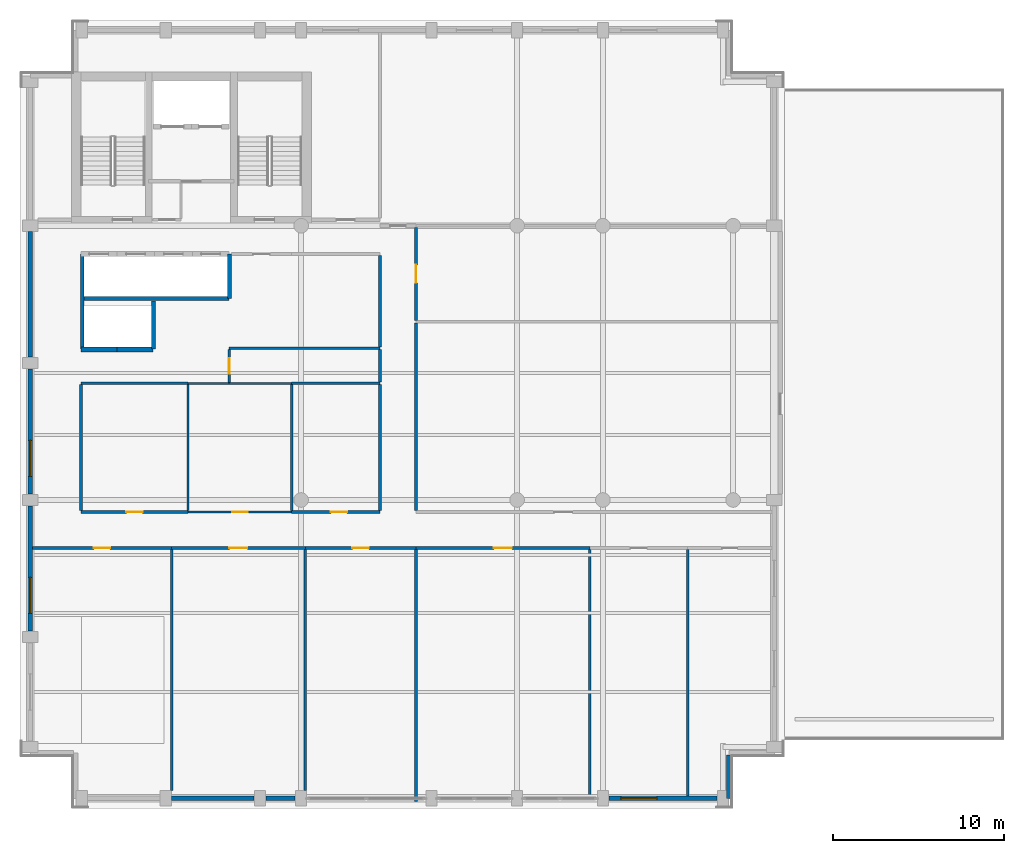
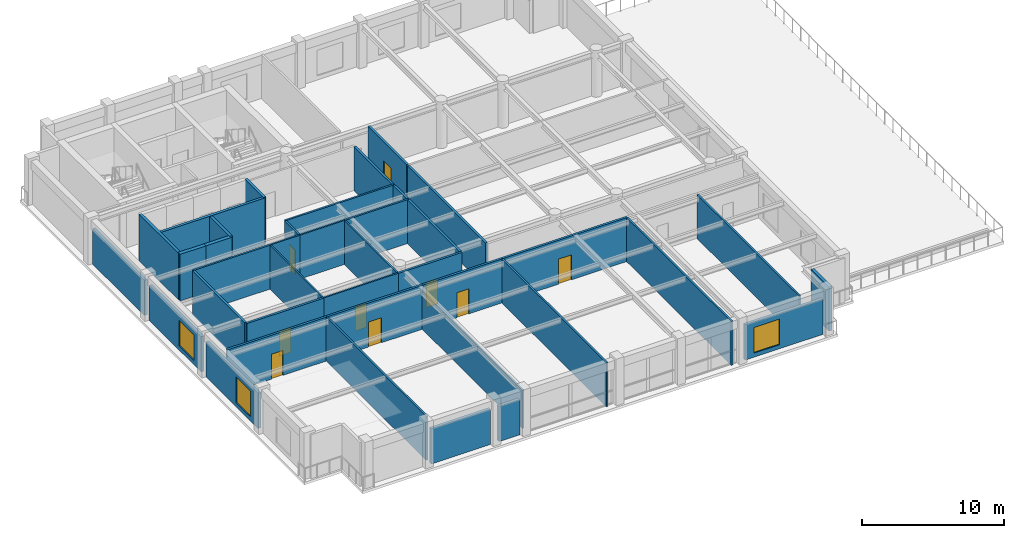
# One storey, part 4 of 9: 39 walls, 9 doors, 3 windows, 12 openings.
"""IFC4 building model written with IfcOpenShell, lengths in metres."""

from ifc_helpers import new_model, si_unit, direction, frame, frame_2d, origin, place, context, subcontext, project, spatial, rectangle, extrude, material, layer, layer_set, type_object, element, fill, save


model = new_model("IFC4")

# Units and contexts
model_context = context("Model", 3, precision=1e-05, world=origin(), true_north=direction((0.0, 1.0)))
body_context = subcontext(model_context, "Body", "Model", "MODEL_VIEW")
ifc_project = project(units=[si_unit("LENGTHUNIT", "METRE"), si_unit("AREAUNIT", "SQUARE_METRE"), si_unit("VOLUMEUNIT", "CUBIC_METRE"), si_unit("PLANEANGLEUNIT", "RADIAN"), si_unit("MASSUNIT", "GRAM", prefix="KILO")], contexts=[model_context])

# Site, building, storey
site_placement = place(None, origin())
site = spatial("IfcSite", under=ifc_project, at=site_placement, CompositionType="ELEMENT")
building_placement = place(site_placement, origin())
building = spatial("IfcBuilding", under=site, at=building_placement, Name="Sulina Concourse Tower", CompositionType="ELEMENT")
storey_placement = place(building_placement, frame((0.0, 0.0, 289.0)))
storey = spatial("IfcBuildingStorey", under=building, at=storey_placement, Name="L70", CompositionType="ELEMENT", Elevation=289.0)

# Walls
ifc_material_1 = material(Name="Concrete C50/60", Category="concrete")
ifc_layer_1 = layer(ifc_material_1, 0.219970703125)
ifc_layer_set_1 = layer_set([ifc_layer_1], Name="Concrete C50/60")
wall_type_1 = type_object("IfcWallType", Name="Core Lift Hoistway Divider Wall 220mm", PredefinedType="SOLIDWALL", material=ifc_layer_set_1)
wall_1_placement = place(storey_placement, frame((3.550048828125, 29.75, 0.0), z_axis=(0.0, 0.0, 1.0), x_axis=(1.0, 0.0, 0.0)))
element("IfcWall", 1, at=wall_1_placement, inside=storey, type_object=wall_type_1, Name="L70 shaft divider wall HW-LP3-S", PredefinedType="SOLIDWALL", context=body_context, shape_type="SweptSolid", body=[
    extrude(rectangle(XDim=8.64990234375, YDim=0.219970703125, at=frame_2d((4.324951171875, 0.0))), origin(), (0.0, 0.0, 1.0), 4.0),
])
wall_2_placement = place(storey_placement, frame((3.6298828125, 26.800048828125, 0.0), z_axis=(0.0, 0.0, 1.0), x_axis=(0.0, 1.0, 0.0)))
element("IfcWall", 2, at=wall_2_placement, inside=storey, type_object=wall_type_1, Name="L70 shaft divider wall HW-LP3-W", PredefinedType="SOLIDWALL", context=body_context, shape_type="SweptSolid", body=[
    extrude(rectangle(XDim=5.550048828125, YDim=0.219970703125, at=frame_2d((2.77490234375, 0.0))), origin(), (0.0, 0.0, 1.0), 4.0),
])
wall_3_placement = place(storey_placement, frame((7.780029296875, 26.800048828125, 0.0), z_axis=(0.0, 0.0, 1.0), x_axis=(0.0, 1.0, 0.0)))
element("IfcWall", 3, at=wall_3_placement, inside=storey, type_object=wall_type_1, Name="L70 shaft divider wall HW-EXP-E", PredefinedType="SOLIDWALL", context=body_context, shape_type="SweptSolid", body=[
    extrude(rectangle(XDim=2.800048828125, YDim=0.219970703125, at=frame_2d((1.39990234375, 0.0))), origin(), (0.0, 0.0, 1.0), 4.0),
])
wall_4_placement = place(storey_placement, frame((12.219970703125, 29.75, 0.0), z_axis=(0.0, 0.0, 1.0), x_axis=(0.0, 1.0, 0.0)))
element("IfcWall", 4, at=wall_4_placement, inside=storey, type_object=wall_type_1, Name="L70 shaft divider wall HW-LP3-E", PredefinedType="SOLIDWALL", context=body_context, shape_type="SweptSolid", body=[
    extrude(rectangle(XDim=2.60009765625, YDim=0.219970703125, at=frame_2d((1.300048828125, 0.0))), origin(), (0.0, 0.0, 1.0), 4.0),
])
ifc_material_2 = material(Name="Concrete C50/60", Category="concrete")
ifc_layer_2 = layer(ifc_material_2, 0.300048828125)
ifc_layer_set_2 = layer_set([ifc_layer_2], Name="Concrete C50/60")
wall_type_2 = type_object("IfcWallType", Name="Core Lift Hoistway Wall 300mm", PredefinedType="SOLIDWALL", material=ifc_layer_set_2)
wall_5_placement = place(storey_placement, frame((5.64990234375, 26.780029296875, 0.0), z_axis=(0.0, 0.0, 1.0), x_axis=(-1.0, 0.0, 0.0)))
element("IfcWall", 5, at=wall_5_placement, inside=storey, type_object=wall_type_2, Name="L70 hoistway enclosure wall EXP-1", PredefinedType="SOLIDWALL", context=body_context, shape_type="SweptSolid", body=[
    extrude(rectangle(XDim=2.099853515625, YDim=0.300048828125, at=frame_2d((1.0498046875, 0.0))), origin(), (0.0, 0.0, 1.0), 4.0),
])
wall_6_placement = place(storey_placement, frame((7.75, 26.780029296875, 0.0), z_axis=(0.0, 0.0, 1.0), x_axis=(-1.0, 0.0, 0.0)))
element("IfcWall", 6, at=wall_6_placement, inside=storey, type_object=wall_type_2, Name="L70 hoistway enclosure wall EXP-2", PredefinedType="SOLIDWALL", context=body_context, shape_type="SweptSolid", body=[
    extrude(rectangle(XDim=2.10009765625, YDim=0.300048828125, at=frame_2d((1.050048828125, 0.0))), origin(), (0.0, 0.0, 1.0), 4.0),
])
ifc_material_3 = material(Name="Precast concrete C50/60", Category="concrete")
ifc_layer_3 = layer(ifc_material_3, 0.239990234375)
ifc_layer_set_3 = layer_set([ifc_layer_3], Name="Precast concrete C50/60")
wall_type_3 = type_object("IfcWallType", Name="Crown Precast Masonry-Frame Facade Wall 240mm", PredefinedType="SOLIDWALL", material=ifc_layer_set_3)
wall_7_placement = place(storey_placement, frame((13.655029296875, 0.60009765625, 0.0), z_axis=(0.0, 0.0, 1.0), x_axis=(-1.0, 0.0, 0.0)))
element("IfcWall", 7, at=wall_7_placement, inside=storey, type_object=wall_type_3, Name="L70 exterior precast wall S2", PredefinedType="SOLIDWALL", context=body_context, shape_type="SweptSolid", body=[
    extrude(rectangle(XDim=4.81005859375, YDim=0.239990234375, at=frame_2d((2.405029296875, 0.0))), origin(), (0.0, 0.0, 1.0), 3.02490234375),
])
wall_8_placement = place(storey_placement, frame((16.054931640625, 0.60009765625, 0.0), z_axis=(0.0, 0.0, 1.0), x_axis=(-1.0, 0.0, 0.0)))
element("IfcWall", 8, at=wall_8_placement, inside=storey, type_object=wall_type_3, Name="L70 exterior precast wall S3", PredefinedType="SOLIDWALL", context=body_context, shape_type="SweptSolid", body=[
    extrude(rectangle(XDim=1.7099609375, YDim=0.239990234375, at=frame_2d((0.85498046875, 0.0))), origin(), (0.0, 0.0, 1.0), 3.02490234375),
])

# Wall, opening, window
wall_9_placement = place(storey_placement, frame((40.655029296875, 0.60009765625, 0.0), z_axis=(0.0, 0.0, 1.0), x_axis=(-1.0, 0.0, 0.0)))
wall_9 = element("IfcWall", 9, at=wall_9_placement, inside=storey, type_object=wall_type_3, Name="L70 exterior precast wall S7", PredefinedType="SOLIDWALL", context=body_context, shape_type="SweptSolid", body=[
    extrude(rectangle(XDim=6.31005859375, YDim=0.239990234375, at=frame_2d((3.155029296875, 0.0))), origin(), (0.0, 0.0, 1.0), 3.02490234375),
])
opening_1_placement = place(wall_9_placement, frame((3.506591796875, 0.0, 0.35009765625)))
opening_1 = element("IfcOpeningElement", 10, at=opening_1_placement, cuts=wall_9, Name="Opening WN-33", PredefinedType="OPENING", context=body_context, shape_type="SweptSolid", body=[
    extrude(rectangle(XDim=2.10009765625, YDim=2.199951171875, at=frame_2d((1.050048828125, 1.10009765625))), frame((0.0, 0.1298828125, 0.0), z_axis=(0.0, -1.0, 0.0), x_axis=(1.0, 0.0, 0.0)), (0.0, 0.0, 1.0), 0.260009765625),
])
ifc_material_4 = material(Name="Low-E solar double glazing in bronze aluminium", Category="aluminium")
window_type = type_object("IfcWindowType", Name="Punched Masonry-Frame Window 2100x2200", PartitioningType="DOUBLE_PANEL_VERTICAL", PredefinedType="WINDOW", material=ifc_material_4)
window_1_placement = place(opening_1_placement, origin())
window_1 = element("IfcWindow", 11, at=window_1_placement, inside=storey, type_object=window_type, Name="L70 punched window S7-1", OverallHeight=2.199951171875, OverallWidth=2.10009765625, PartitioningType="SINGLE_PANEL", PredefinedType="WINDOW", context=body_context, shape_type="SweptSolid", body=[
    extrude(rectangle(XDim=2.10009765625, YDim=2.199951171875, at=frame_2d((1.050048828125, 1.10009765625))), frame((0.0, 0.030029296875, 0.0), z_axis=(0.0, -1.0, 0.0), x_axis=(1.0, 0.0, 0.0)), (0.0, 0.0, 1.0), 0.06005859375),
])
fill(opening_1, window_1)

wall_10_placement = place(storey_placement, frame((0.60009765625, 10.344970703125, 0.0), z_axis=(0.0, 0.0, 1.0), x_axis=(0.0, 1.0, 0.0)))
wall_10 = element("IfcWall", 12, at=wall_10_placement, inside=storey, type_object=wall_type_3, Name="L70 exterior precast wall W2", PredefinedType="SOLIDWALL", context=body_context, shape_type="SweptSolid", body=[
    extrude(rectangle(XDim=7.31005859375, YDim=0.239990234375, at=frame_2d((3.655029296875, 0.0))), origin(), (0.0, 0.0, 1.0), 3.02490234375),
])
opening_2_placement = place(wall_10_placement, frame((1.03662109375, 0.0, 0.35009765625)))
opening_2 = element("IfcOpeningElement", 13, at=opening_2_placement, cuts=wall_10, Name="Opening WN-33", PredefinedType="OPENING", context=body_context, shape_type="SweptSolid", body=[
    extrude(rectangle(XDim=2.10009765625, YDim=2.199951171875, at=frame_2d((1.050048828125, 1.10009765625))), frame((0.0, 0.1298828125, 0.0), z_axis=(0.0, -1.0, 0.0), x_axis=(1.0, 0.0, 0.0)), (0.0, 0.0, 1.0), 0.260009765625),
])
window_2_placement = place(opening_2_placement, origin())
window_2 = element("IfcWindow", 14, at=window_2_placement, inside=storey, type_object=window_type, Name="L70 punched window W2-1", OverallHeight=2.199951171875, OverallWidth=2.10009765625, PartitioningType="SINGLE_PANEL", PredefinedType="WINDOW", context=body_context, shape_type="SweptSolid", body=[
    extrude(rectangle(XDim=2.10009765625, YDim=2.199951171875, at=frame_2d((1.050048828125, 1.10009765625))), frame((0.0, 0.030029296875, 0.0), z_axis=(0.0, -1.0, 0.0), x_axis=(1.0, 0.0, 0.0)), (0.0, 0.0, 1.0), 0.06005859375),
])
fill(opening_2, window_2)

wall_11_placement = place(storey_placement, frame((0.60009765625, 18.344970703125, 0.0), z_axis=(0.0, 0.0, 1.0), x_axis=(0.0, 1.0, 0.0)))
wall_11 = element("IfcWall", 15, at=wall_11_placement, inside=storey, type_object=wall_type_3, Name="L70 exterior precast wall W3", PredefinedType="SOLIDWALL", context=body_context, shape_type="SweptSolid", body=[
    extrude(rectangle(XDim=7.31005859375, YDim=0.239990234375, at=frame_2d((3.655029296875, 0.0))), origin(), (0.0, 0.0, 1.0), 3.02490234375),
])
opening_3_placement = place(wall_11_placement, frame((1.03662109375, 0.0, 0.35009765625)))
opening_3 = element("IfcOpeningElement", 16, at=opening_3_placement, cuts=wall_11, Name="Opening WN-33", PredefinedType="OPENING", context=body_context, shape_type="SweptSolid", body=[
    extrude(rectangle(XDim=2.10009765625, YDim=2.199951171875, at=frame_2d((1.050048828125, 1.10009765625))), frame((0.0, 0.1298828125, 0.0), z_axis=(0.0, -1.0, 0.0), x_axis=(1.0, 0.0, 0.0)), (0.0, 0.0, 1.0), 0.260009765625),
])
window_3_placement = place(opening_3_placement, origin())
window_3 = element("IfcWindow", 17, at=window_3_placement, inside=storey, type_object=window_type, Name="L70 punched window W3-1", OverallHeight=2.199951171875, OverallWidth=2.10009765625, PartitioningType="SINGLE_PANEL", PredefinedType="WINDOW", context=body_context, shape_type="SweptSolid", body=[
    extrude(rectangle(XDim=2.10009765625, YDim=2.199951171875, at=frame_2d((1.050048828125, 1.10009765625))), frame((0.0, 0.030029296875, 0.0), z_axis=(0.0, -1.0, 0.0), x_axis=(1.0, 0.0, 0.0)), (0.0, 0.0, 1.0), 0.06005859375),
])
fill(opening_3, window_3)

# Walls
wall_12_placement = place(storey_placement, frame((0.60009765625, 26.344970703125, 0.0), z_axis=(0.0, 0.0, 1.0), x_axis=(0.0, 1.0, 0.0)))
element("IfcWall", 18, at=wall_12_placement, inside=storey, type_object=wall_type_3, Name="L70 exterior precast wall W4", PredefinedType="SOLIDWALL", context=body_context, shape_type="SweptSolid", body=[
    extrude(rectangle(XDim=7.31005859375, YDim=0.239990234375, at=frame_2d((3.655029296875, 0.0))), origin(), (0.0, 0.0, 1.0), 3.02490234375),
])
wall_13_placement = place(storey_placement, frame((41.344970703125, 3.1298828125, 0.0), z_axis=(0.0, 0.0, 1.0), x_axis=(0.0, -1.0, 0.0)))
element("IfcWall", 19, at=wall_13_placement, inside=storey, type_object=wall_type_3, Name="L70 exterior precast wall CSE2", PredefinedType="SOLIDWALL", context=body_context, shape_type="SweptSolid", body=[
    extrude(rectangle(XDim=2.52978515625, YDim=0.239990234375, at=frame_2d((1.264892578125, 0.0))), origin(), (0.0, 0.0, 1.0), 3.77490234375),
])
ifc_material_5 = material(Name="Gypsum board on steel stud", Category="steel")
ifc_layer_4 = layer(ifc_material_5, 0.14990234375)
ifc_layer_set_4 = layer_set([ifc_layer_4], Name="Gypsum board on steel stud")
wall_type_4 = type_object("IfcWallType", Name="Inter-Tenancy Acoustic Partition 150mm", PredefinedType="PARTITIONING", material=ifc_layer_set_4)
wall_14_placement = place(storey_placement, frame((3.550048828125, 24.800048828125, 0.0), z_axis=(0.0, 0.0, 1.0), x_axis=(1.0, 0.0, 0.0)))
element("IfcWall", 20, at=wall_14_placement, inside=storey, type_object=wall_type_4, Name="L70 interior partition 011", PredefinedType="PARTITIONING", context=body_context, shape_type="SweptSolid", body=[
    extrude(rectangle(XDim=6.25, YDim=0.14990234375, at=frame_2d((3.125, 0.0))), origin(), (0.0, 0.0, 1.0), 3.77490234375),
])
wall_15_placement = place(storey_placement, frame((15.85009765625, 24.800048828125, 0.0), z_axis=(0.0, 0.0, 1.0), x_axis=(1.0, 0.0, 0.0)))
element("IfcWall", 21, at=wall_15_placement, inside=storey, type_object=wall_type_4, Name="L70 interior partition 014", PredefinedType="PARTITIONING", context=body_context, shape_type="SweptSolid", body=[
    extrude(rectangle(XDim=5.14990234375, YDim=0.14990234375, at=frame_2d((2.574951171875, 0.0))), origin(), (0.0, 0.0, 1.0), 3.77490234375),
])
wall_16_placement = place(storey_placement, frame((12.199951171875, 26.85009765625, 0.0), z_axis=(0.0, 0.0, 1.0), x_axis=(1.0, 0.0, 0.0)))
element("IfcWall", 22, at=wall_16_placement, inside=storey, type_object=wall_type_4, Name="L70 interior partition 015", PredefinedType="PARTITIONING", context=body_context, shape_type="SweptSolid", body=[
    extrude(rectangle(XDim=8.800048828125, YDim=0.14990234375, at=frame_2d((4.39990234375, 0.0))), origin(), (0.0, 0.0, 1.0), 3.77490234375),
])
wall_17_placement = place(storey_placement, frame((8.840087890625, 1.050048828125, 0.0), z_axis=(0.0, 0.0, 1.0), x_axis=(0.0, 1.0, 0.0)))
element("IfcWall", 23, at=wall_17_placement, inside=storey, type_object=wall_type_4, Name="L70 interior partition 028", PredefinedType="PARTITIONING", context=body_context, shape_type="SweptSolid", body=[
    extrude(rectangle(XDim=14.06005859375, YDim=0.14990234375, at=frame_2d((7.030029296875, 0.0))), origin(), (0.0, 0.0, 1.0), 3.77490234375),
])

# Wall, opening, door
wall_18_placement = place(storey_placement, frame((12.199951171875, 24.862548828125, 0.0), z_axis=(0.0, 0.0, 1.0), x_axis=(0.0, 1.0, 0.0)))
wall_18 = element("IfcWall", 24, at=wall_18_placement, inside=storey, type_object=wall_type_4, Name="L70 interior partition 031", PredefinedType="PARTITIONING", context=body_context, shape_type="SweptSolid", body=[
    extrude(rectangle(XDim=1.912353515625, YDim=0.14990234375, at=frame_2d((0.9560546875, 0.0))), origin(), (0.0, 0.0, 1.0), 3.77490234375),
])
opening_4_placement = place(wall_18_placement, frame((0.51611328125, 0.0, 0.0)))
opening_4 = element("IfcOpeningElement", 25, at=opening_4_placement, cuts=wall_18, Name="Opening DR-38", PredefinedType="OPENING", context=body_context, shape_type="SweptSolid", body=[
    extrude(rectangle(XDim=0.8798828125, YDim=2.10009765625, at=frame_2d((0.43994140625, 1.050048828125))), frame((0.0, 0.0849609375, 0.0), z_axis=(0.0, -1.0, 0.0), x_axis=(1.0, 0.0, 0.0)), (0.0, 0.0, 1.0), 0.169921875),
])
ifc_material_6 = material(Name="Galvanised steel acoustic fire leaf", Category="steel")
ifc_layer_5 = layer(ifc_material_6, 0.050048828125)
ifc_layer_set_5 = layer_set([ifc_layer_5], Name="Galvanised steel acoustic fire leaf")
door_type_1 = type_object("IfcDoorType", Name="Service Riser Fire Door 880x2100", OperationType="NOTDEFINED", PredefinedType="DOOR", material=ifc_layer_set_5)
door_1_placement = place(opening_4_placement, origin())
door_1 = element("IfcDoor", 26, at=door_1_placement, inside=storey, type_object=door_type_1, Name="L70 interior door L70-MR-MRG1", OperationType="SINGLE_SWING_RIGHT", OverallHeight=2.10009765625, OverallWidth=0.8798828125, PredefinedType="DOOR", context=body_context, shape_type="SweptSolid", body=[
    extrude(rectangle(XDim=0.8798828125, YDim=2.10009765625, at=frame_2d((0.43994140625, 1.050048828125))), frame((0.0, 0.02490234375, 0.0), z_axis=(0.0, -1.0, 0.0), x_axis=(1.0, 0.0, 0.0)), (0.0, 0.0, 1.0), 0.050048828125),
])
fill(opening_4, door_1)

# Walls
wall_19_placement = place(storey_placement, frame((16.639892578125, 1.050048828125, 0.0), z_axis=(0.0, 0.0, 1.0), x_axis=(0.0, 1.0, 0.0)))
element("IfcWall", 27, at=wall_19_placement, inside=storey, type_object=wall_type_4, Name="L70 interior partition 033", PredefinedType="PARTITIONING", context=body_context, shape_type="SweptSolid", body=[
    extrude(rectangle(XDim=14.06005859375, YDim=0.14990234375, at=frame_2d((7.030029296875, 0.0))), origin(), (0.0, 0.0, 1.0), 3.27001953125),
])
for number, where, z_axis, x_axis, name in (
    (28, (23.10009765625, 0.39990234375, 0.0), (0.0, 0.0, 1.0), (0.0, 1.0, 0.0), "L70 interior partition 038"),
    (29, (33.239990234375, 0.39990234375, 0.0), (0.0, 0.0, 1.0), (0.0, 1.0, 0.0), "L70 interior partition 041"),
):
    element("IfcWall", number, at=place(storey_placement, frame(where, z_axis=z_axis, x_axis=x_axis)), inside=storey, type_object=wall_type_4, Name=name, PredefinedType="PARTITIONING", context=body_context, shape_type="SweptSolid", body=[
        extrude(rectangle(XDim=14.710205078125, YDim=0.14990234375, at=frame_2d((7.35498046875, 0.0))), origin(), (0.0, 0.0, 1.0), 3.77490234375),
    ])
wall_20_placement = place(storey_placement, frame((38.93994140625, 0.719970703125, 0.0), z_axis=(0.0, 0.0, 1.0), x_axis=(0.0, 1.0, 0.0)))
element("IfcWall", 30, at=wall_20_placement, inside=storey, type_object=wall_type_4, Name="L70 interior partition 042", PredefinedType="PARTITIONING", context=body_context, shape_type="SweptSolid", body=[
    extrude(rectangle(XDim=14.39013671875, YDim=0.14990234375, at=frame_2d((7.195068359375, 0.0))), origin(), (0.0, 0.0, 1.0), 3.77490234375),
])

# Wall, opening, door
ifc_material_7 = material(Name="Gypsum board on steel stud", Category="steel")
ifc_layer_6 = layer(ifc_material_7, 0.179931640625)
ifc_layer_set_6 = layer_set([ifc_layer_6], Name="Gypsum board on steel stud")
wall_type_5 = type_object("IfcWallType", Name="Protected Corridor & Riser Partition 180mm", PredefinedType="PARTITIONING", material=ifc_layer_set_6)
wall_21_placement = place(storey_placement, frame((0.719970703125, 15.199951171875, 0.0), z_axis=(0.0, 0.0, 1.0), x_axis=(1.0, 0.0, 0.0)))
wall_21 = element("IfcWall", 31, at=wall_21_placement, inside=storey, type_object=wall_type_5, Name="L70 interior partition 001", PredefinedType="PARTITIONING", context=body_context, shape_type="SweptSolid", body=[
    extrude(rectangle(XDim=8.1201171875, YDim=0.179931640625, at=frame_2d((4.06005859375, 0.0))), origin(), (0.0, 0.0, 1.0), 3.77490234375),
])
opening_5_placement = place(wall_21_placement, frame((3.5849609375, 0.0, 0.0)))
opening_5 = element("IfcOpeningElement", 32, at=opening_5_placement, cuts=wall_21, Name="Opening DR-19", PredefinedType="OPENING", context=body_context, shape_type="SweptSolid", body=[
    extrude(rectangle(XDim=0.949951171875, YDim=2.14990234375, at=frame_2d((0.47509765625, 1.074951171875))), frame((0.0, 0.099853515625, 0.0), z_axis=(0.0, -1.0, 0.0), x_axis=(1.0, 0.0, 0.0)), (0.0, 0.0, 1.0), 0.199951171875),
])
ifc_material_8 = material(Name="Oak-veneered acoustic timber leaf", Category="wood")
ifc_layer_7 = layer(ifc_material_8, 0.050048828125)
ifc_layer_set_7 = layer_set([ifc_layer_7], Name="Oak-veneered acoustic timber leaf")
door_type_2 = type_object("IfcDoorType", Name="Cellular Office & Meeting Door 950x2150", OperationType="NOTDEFINED", PredefinedType="DOOR", material=ifc_layer_set_7)
door_2_placement = place(opening_5_placement, origin())
door_2 = element("IfcDoor", 33, at=door_2_placement, inside=storey, type_object=door_type_2, Name="L70 interior door L70-S01A", OperationType="SINGLE_SWING_RIGHT", OverallHeight=2.14990234375, OverallWidth=0.949951171875, PredefinedType="DOOR", context=body_context, shape_type="SweptSolid", body=[
    extrude(rectangle(XDim=0.949951171875, YDim=2.14990234375, at=frame_2d((0.47509765625, 1.074951171875))), frame((0.0, 0.02490234375, 0.0), z_axis=(0.0, -1.0, 0.0), x_axis=(1.0, 0.0, 0.0)), (0.0, 0.0, 1.0), 0.050048828125),
])
fill(opening_5, door_2)

wall_22_placement = place(storey_placement, frame((8.840087890625, 15.199951171875, 0.0), z_axis=(0.0, 0.0, 1.0), x_axis=(1.0, 0.0, 0.0)))
wall_22 = element("IfcWall", 34, at=wall_22_placement, inside=storey, type_object=wall_type_5, Name="L70 interior partition 002", PredefinedType="PARTITIONING", context=body_context, shape_type="SweptSolid", body=[
    extrude(rectangle(XDim=7.7998046875, YDim=0.179931640625, at=frame_2d((3.89990234375, 0.0))), origin(), (0.0, 0.0, 1.0), 3.77490234375),
])
opening_6_placement = place(wall_22_placement, frame((3.375, 0.0, 0.0)))
opening_6 = element("IfcOpeningElement", 35, at=opening_6_placement, cuts=wall_22, Name="Opening DR-37", PredefinedType="OPENING", context=body_context, shape_type="SweptSolid", body=[
    extrude(rectangle(XDim=1.050048828125, YDim=2.14990234375, at=frame_2d((0.52490234375, 1.074951171875))), frame((0.0, 0.099853515625, 0.0), z_axis=(0.0, -1.0, 0.0), x_axis=(1.0, 0.0, 0.0)), (0.0, 0.0, 1.0), 0.199951171875),
])
ifc_material_9 = material(Name="Oak-veneered fire door leaf")
ifc_layer_8 = layer(ifc_material_9, 0.050048828125)
ifc_layer_set_8 = layer_set([ifc_layer_8], Name="Oak-veneered fire door leaf")
door_type_3 = type_object("IfcDoorType", Name="Tenant Suite Entrance Fire Door 1050x2150", OperationType="NOTDEFINED", PredefinedType="DOOR", material=ifc_layer_set_8)
door_3_placement = place(opening_6_placement, origin())
door_3 = element("IfcDoor", 36, at=door_3_placement, inside=storey, type_object=door_type_3, Name="L70 interior door L70-S01B", OperationType="SINGLE_SWING_LEFT", OverallHeight=2.14990234375, OverallWidth=1.050048828125, PredefinedType="DOOR", context=body_context, shape_type="SweptSolid", body=[
    extrude(rectangle(XDim=1.050048828125, YDim=2.14990234375, at=frame_2d((0.52490234375, 1.074951171875))), frame((0.0, 0.02490234375, 0.0), z_axis=(0.0, -1.0, 0.0), x_axis=(1.0, 0.0, 0.0)), (0.0, 0.0, 1.0), 0.050048828125),
])
fill(opening_6, door_3)

wall_23_placement = place(storey_placement, frame((16.639892578125, 15.199951171875, 0.0), z_axis=(0.0, 0.0, 1.0), x_axis=(1.0, 0.0, 0.0)))
wall_23 = element("IfcWall", 37, at=wall_23_placement, inside=storey, type_object=wall_type_5, Name="L70 interior partition 003", PredefinedType="PARTITIONING", context=body_context, shape_type="SweptSolid", body=[
    extrude(rectangle(XDim=6.460205078125, YDim=0.179931640625, at=frame_2d((3.22998046875, 0.0))), origin(), (0.0, 0.0, 1.0), 3.77490234375),
])
opening_7_placement = place(wall_23_placement, frame((2.7548828125, 0.0, 0.0)))
opening_7 = element("IfcOpeningElement", 38, at=opening_7_placement, cuts=wall_23, Name="Opening DR-19", PredefinedType="OPENING", context=body_context, shape_type="SweptSolid", body=[
    extrude(rectangle(XDim=0.949951171875, YDim=2.14990234375, at=frame_2d((0.47509765625, 1.074951171875))), frame((0.0, 0.099853515625, 0.0), z_axis=(0.0, -1.0, 0.0), x_axis=(1.0, 0.0, 0.0)), (0.0, 0.0, 1.0), 0.199951171875),
])
door_4_placement = place(opening_7_placement, origin())
door_4 = element("IfcDoor", 39, at=door_4_placement, inside=storey, type_object=door_type_2, Name="L70 interior door L70-S02", OperationType="SINGLE_SWING_RIGHT", OverallHeight=2.14990234375, OverallWidth=0.949951171875, PredefinedType="DOOR", context=body_context, shape_type="SweptSolid", body=[
    extrude(rectangle(XDim=0.949951171875, YDim=2.14990234375, at=frame_2d((0.47509765625, 1.074951171875))), frame((0.0, 0.02490234375, 0.0), z_axis=(0.0, -1.0, 0.0), x_axis=(1.0, 0.0, 0.0)), (0.0, 0.0, 1.0), 0.050048828125),
])
fill(opening_7, door_4)

wall_24_placement = place(storey_placement, frame((23.10009765625, 15.199951171875, 0.0), z_axis=(0.0, 0.0, 1.0), x_axis=(1.0, 0.0, 0.0)))
wall_24 = element("IfcWall", 40, at=wall_24_placement, inside=storey, type_object=wall_type_5, Name="L70 interior partition 004", PredefinedType="PARTITIONING", context=body_context, shape_type="SweptSolid", body=[
    extrude(rectangle(XDim=10.139892578125, YDim=0.179931640625, at=frame_2d((5.06982421875, 0.0))), origin(), (0.0, 0.0, 1.0), 3.77490234375),
])
opening_8_placement = place(wall_24_placement, frame((4.544921875, 0.0, 0.0)))
opening_8 = element("IfcOpeningElement", 41, at=opening_8_placement, cuts=wall_24, Name="Opening DR-37", PredefinedType="OPENING", context=body_context, shape_type="SweptSolid", body=[
    extrude(rectangle(XDim=1.050048828125, YDim=2.14990234375, at=frame_2d((0.52490234375, 1.074951171875))), frame((0.0, 0.099853515625, 0.0), z_axis=(0.0, -1.0, 0.0), x_axis=(1.0, 0.0, 0.0)), (0.0, 0.0, 1.0), 0.199951171875),
])
door_5_placement = place(opening_8_placement, origin())
door_5 = element("IfcDoor", 42, at=door_5_placement, inside=storey, type_object=door_type_3, Name="L70 interior door L70-S03", OperationType="SINGLE_SWING_LEFT", OverallHeight=2.14990234375, OverallWidth=1.050048828125, PredefinedType="DOOR", context=body_context, shape_type="SweptSolid", body=[
    extrude(rectangle(XDim=1.050048828125, YDim=2.14990234375, at=frame_2d((0.52490234375, 1.074951171875))), frame((0.0, 0.02490234375, 0.0), z_axis=(0.0, -1.0, 0.0), x_axis=(1.0, 0.0, 0.0)), (0.0, 0.0, 1.0), 0.050048828125),
])
fill(opening_8, door_5)

wall_25_placement = place(storey_placement, frame((3.550048828125, 17.300048828125, 0.0), z_axis=(0.0, 0.0, 1.0), x_axis=(1.0, 0.0, 0.0)))
wall_25 = element("IfcWall", 43, at=wall_25_placement, inside=storey, type_object=wall_type_5, Name="L70 interior partition 007", PredefinedType="PARTITIONING", context=body_context, shape_type="SweptSolid", body=[
    extrude(rectangle(XDim=6.25, YDim=0.179931640625, at=frame_2d((3.125, 0.0))), origin(), (0.0, 0.0, 1.0), 3.77490234375),
])
opening_9_placement = place(wall_25_placement, frame((2.64990234375, 0.0, 0.0)))
opening_9 = element("IfcOpeningElement", 44, at=opening_9_placement, cuts=wall_25, Name="Opening DR-19", PredefinedType="OPENING", context=body_context, shape_type="SweptSolid", body=[
    extrude(rectangle(XDim=0.949951171875, YDim=2.14990234375, at=frame_2d((0.47509765625, 1.074951171875))), frame((0.0, 0.099853515625, 0.0), z_axis=(0.0, -1.0, 0.0), x_axis=(1.0, 0.0, 0.0)), (0.0, 0.0, 1.0), 0.199951171875),
])
door_6_placement = place(opening_9_placement, origin())
door_6 = element("IfcDoor", 45, at=door_6_placement, inside=storey, type_object=door_type_2, Name="L70 interior door L70-LR-MRG1", OperationType="SINGLE_SWING_RIGHT", OverallHeight=2.14990234375, OverallWidth=0.949951171875, PredefinedType="DOOR", context=body_context, shape_type="SweptSolid", body=[
    extrude(rectangle(XDim=0.949951171875, YDim=2.14990234375, at=frame_2d((0.47509765625, 1.074951171875))), frame((0.0, 0.02490234375, 0.0), z_axis=(0.0, -1.0, 0.0), x_axis=(1.0, 0.0, 0.0)), (0.0, 0.0, 1.0), 0.050048828125),
])
fill(opening_9, door_6)

wall_26_placement = place(storey_placement, frame((15.85009765625, 17.300048828125, 0.0), z_axis=(0.0, 0.0, 1.0), x_axis=(1.0, 0.0, 0.0)))
wall_26 = element("IfcWall", 46, at=wall_26_placement, inside=storey, type_object=wall_type_5, Name="L70 interior partition 009", PredefinedType="PARTITIONING", context=body_context, shape_type="SweptSolid", body=[
    extrude(rectangle(XDim=5.14990234375, YDim=0.179931640625, at=frame_2d((2.574951171875, 0.0))), origin(), (0.0, 0.0, 1.0), 3.77490234375),
])
opening_10_placement = place(wall_26_placement, frame((2.280029296875, 0.0, 0.0)))
opening_10 = element("IfcOpeningElement", 47, at=opening_10_placement, cuts=wall_26, Name="Opening DR-19", PredefinedType="OPENING", context=body_context, shape_type="SweptSolid", body=[
    extrude(rectangle(XDim=0.949951171875, YDim=2.14990234375, at=frame_2d((0.47509765625, 1.074951171875))), frame((0.0, 0.099853515625, 0.0), z_axis=(0.0, -1.0, 0.0), x_axis=(1.0, 0.0, 0.0)), (0.0, 0.0, 1.0), 0.199951171875),
])
door_7_placement = place(opening_10_placement, origin())
door_7 = element("IfcDoor", 48, at=door_7_placement, inside=storey, type_object=door_type_2, Name="L70 interior door L70-CR-PKW", OperationType="SINGLE_SWING_RIGHT", OverallHeight=2.14990234375, OverallWidth=0.949951171875, PredefinedType="DOOR", context=body_context, shape_type="SweptSolid", body=[
    extrude(rectangle(XDim=0.949951171875, YDim=2.14990234375, at=frame_2d((0.47509765625, 1.074951171875))), frame((0.0, 0.02490234375, 0.0), z_axis=(0.0, -1.0, 0.0), x_axis=(1.0, 0.0, 0.0)), (0.0, 0.0, 1.0), 0.050048828125),
])
fill(opening_10, door_7)

# Walls
for number, where, z_axis, x_axis, name in (
    (49, (3.550048828125, 17.389892578125, 0.0), (0.0, 0.0, 1.0), (0.0, 1.0, 0.0), "L70 interior partition 027"),
    (50, (21.0, 17.389892578125, 0.0), (0.0, 0.0, 1.0), (0.0, 1.0, 0.0), "L70 interior partition 034"),
):
    element("IfcWall", number, at=place(storey_placement, frame(where, z_axis=z_axis, x_axis=x_axis)), inside=storey, type_object=wall_type_5, Name=name, PredefinedType="PARTITIONING", context=body_context, shape_type="SweptSolid", body=[
        extrude(rectangle(XDim=7.335205078125, YDim=0.179931640625, at=frame_2d((3.66748046875, 0.0))), origin(), (0.0, 0.0, 1.0), 3.77490234375),
    ])
wall_27_placement = place(storey_placement, frame((21.0, 24.875, 0.0), z_axis=(0.0, 0.0, 1.0), x_axis=(0.0, 1.0, 0.0)))
element("IfcWall", 51, at=wall_27_placement, inside=storey, type_object=wall_type_5, Name="L70 interior partition 035", PredefinedType="PARTITIONING", context=body_context, shape_type="SweptSolid", body=[
    extrude(rectangle(XDim=1.89990234375, YDim=0.179931640625, at=frame_2d((0.949951171875, 0.0))), origin(), (0.0, 0.0, 1.0), 3.77490234375),
])
wall_28_placement = place(storey_placement, frame((21.0, 26.925048828125, 0.0), z_axis=(0.0, 0.0, 1.0), x_axis=(0.0, 1.0, 0.0)))
element("IfcWall", 52, at=wall_28_placement, inside=storey, type_object=wall_type_5, Name="L70 interior partition 036", PredefinedType="PARTITIONING", context=body_context, shape_type="SweptSolid", body=[
    extrude(rectangle(XDim=5.3349609375, YDim=0.179931640625, at=frame_2d((2.66748046875, 0.0))), origin(), (0.0, 0.0, 1.0), 3.77490234375),
])
wall_29_placement = place(storey_placement, frame((23.10009765625, 17.389892578125, 0.0), z_axis=(0.0, 0.0, 1.0), x_axis=(0.0, 1.0, 0.0)))
element("IfcWall", 53, at=wall_29_placement, inside=storey, type_object=wall_type_5, Name="L70 interior partition 039", PredefinedType="PARTITIONING", context=body_context, shape_type="SweptSolid", body=[
    extrude(rectangle(XDim=10.93505859375, YDim=0.179931640625, at=frame_2d((5.467529296875, 0.0))), origin(), (0.0, 0.0, 1.0), 3.77490234375),
])

# Wall, opening, door
wall_30_placement = place(storey_placement, frame((23.10009765625, 28.47509765625, 0.0), z_axis=(0.0, 0.0, 1.0), x_axis=(0.0, 1.0, 0.0)))
wall_30 = element("IfcWall", 54, at=wall_30_placement, inside=storey, type_object=wall_type_5, Name="L70 interior partition 040", PredefinedType="PARTITIONING", context=body_context, shape_type="SweptSolid", body=[
    extrude(rectangle(XDim=5.434814453125, YDim=0.179931640625, at=frame_2d((2.71728515625, 0.0))), origin(), (0.0, 0.0, 1.0), 3.77490234375),
])
opening_11_placement = place(wall_30_placement, frame((2.1923828125, 0.0, 0.0)))
opening_11 = element("IfcOpeningElement", 55, at=opening_11_placement, cuts=wall_30, Name="Opening DR-37", PredefinedType="OPENING", context=body_context, shape_type="SweptSolid", body=[
    extrude(rectangle(XDim=1.050048828125, YDim=2.14990234375, at=frame_2d((0.52490234375, 1.074951171875))), frame((0.0, 0.099853515625, 0.0), z_axis=(0.0, -1.0, 0.0), x_axis=(1.0, 0.0, 0.0)), (0.0, 0.0, 1.0), 0.199951171875),
])
door_8_placement = place(opening_11_placement, origin())
door_8 = element("IfcDoor", 56, at=door_8_placement, inside=storey, type_object=door_type_3, Name="L70 interior door L70-CR-E2", OperationType="SINGLE_SWING_LEFT", OverallHeight=2.14990234375, OverallWidth=1.050048828125, PredefinedType="DOOR", context=body_context, shape_type="SweptSolid", body=[
    extrude(rectangle(XDim=1.050048828125, YDim=2.14990234375, at=frame_2d((0.52490234375, 1.074951171875))), frame((0.0, 0.02490234375, 0.0), z_axis=(0.0, -1.0, 0.0), x_axis=(1.0, 0.0, 0.0)), (0.0, 0.0, 1.0), 0.050048828125),
])
fill(opening_11, door_8)

ifc_material_10 = material(Name="Gypsum board on steel stud", Category="steel")
ifc_layer_9 = layer(ifc_material_10, 0.125)
ifc_layer_set_9 = layer_set([ifc_layer_9], Name="Gypsum board on steel stud")
wall_type_6 = type_object("IfcWallType", Name="Wet-Area Moisture-Resistant Partition 125mm", PredefinedType="PARTITIONING", material=ifc_layer_set_9)
wall_31_placement = place(storey_placement, frame((9.800048828125, 17.300048828125, 0.0), z_axis=(0.0, 0.0, 1.0), x_axis=(1.0, 0.0, 0.0)))
wall_31 = element("IfcWall", 57, at=wall_31_placement, inside=storey, type_object=wall_type_6, Name="L70 interior partition 008", PredefinedType="PARTITIONING", context=body_context, shape_type="SweptSolid", body=[
    extrude(rectangle(XDim=6.050048828125, YDim=0.125, at=frame_2d((3.02490234375, 0.0))), origin(), (0.0, 0.0, 1.0), 3.77490234375),
])
opening_12_placement = place(wall_31_placement, frame((2.574951171875, 0.0, 0.0)))
opening_12 = element("IfcOpeningElement", 58, at=opening_12_placement, cuts=wall_31, Name="Opening DR-21", PredefinedType="OPENING", context=body_context, shape_type="SweptSolid", body=[
    extrude(rectangle(XDim=0.89990234375, YDim=2.10009765625, at=frame_2d((0.449951171875, 1.050048828125))), frame((0.0, 0.072509765625, 0.0), z_axis=(0.0, -1.0, 0.0), x_axis=(1.0, 0.0, 0.0)), (0.0, 0.0, 1.0), 0.14501953125),
])
ifc_material_11 = material(Name="Oak-veneered fire door leaf")
ifc_layer_10 = layer(ifc_material_11, 0.050048828125)
ifc_layer_set_10 = layer_set([ifc_layer_10], Name="Oak-veneered fire door leaf")
door_type_4 = type_object("IfcDoorType", Name="Restroom & Service Door 900x2100", OperationType="NOTDEFINED", PredefinedType="DOOR", material=ifc_layer_set_10)
door_9_placement = place(opening_12_placement, origin())
door_9 = element("IfcDoor", 59, at=door_9_placement, inside=storey, type_object=door_type_4, Name="L70 interior door L70-LR-MRG2", OperationType="SINGLE_SWING_LEFT", OverallHeight=2.10009765625, OverallWidth=0.89990234375, PredefinedType="DOOR", context=body_context, shape_type="SweptSolid", body=[
    extrude(rectangle(XDim=0.89990234375, YDim=2.10009765625, at=frame_2d((0.449951171875, 1.050048828125))), frame((0.0, 0.02490234375, 0.0), z_axis=(0.0, -1.0, 0.0), x_axis=(1.0, 0.0, 0.0)), (0.0, 0.0, 1.0), 0.050048828125),
])
fill(opening_12, door_9)

# Walls
wall_32_placement = place(storey_placement, frame((9.800048828125, 24.800048828125, 0.0), z_axis=(0.0, 0.0, 1.0), x_axis=(1.0, 0.0, 0.0)))
element("IfcWall", 60, at=wall_32_placement, inside=storey, type_object=wall_type_6, Name="L70 interior partition 012", PredefinedType="PARTITIONING", context=body_context, shape_type="SweptSolid", body=[
    extrude(rectangle(XDim=2.39990234375, YDim=0.125, at=frame_2d((1.199951171875, 0.0))), origin(), (0.0, 0.0, 1.0), 3.77490234375),
])
wall_33_placement = place(storey_placement, frame((12.199951171875, 24.800048828125, 0.0), z_axis=(0.0, 0.0, 1.0), x_axis=(1.0, 0.0, 0.0)))
element("IfcWall", 61, at=wall_33_placement, inside=storey, type_object=wall_type_6, Name="L70 interior partition 013", PredefinedType="PARTITIONING", context=body_context, shape_type="SweptSolid", body=[
    extrude(rectangle(XDim=3.650146484375, YDim=0.125, at=frame_2d((1.8251953125, 0.0))), origin(), (0.0, 0.0, 1.0), 3.77490234375),
])
for number, where, z_axis, x_axis, name in (
    (62, (9.800048828125, 17.389892578125, 0.0), (0.0, 0.0, 1.0), (0.0, 1.0, 0.0), "L70 interior partition 030"),
    (63, (15.85009765625, 17.389892578125, 0.0), (0.0, 0.0, 1.0), (0.0, 1.0, 0.0), "L70 interior partition 032"),
):
    element("IfcWall", number, at=place(storey_placement, frame(where, z_axis=z_axis, x_axis=x_axis)), inside=storey, type_object=wall_type_6, Name=name, PredefinedType="PARTITIONING", context=body_context, shape_type="SweptSolid", body=[
        extrude(rectangle(XDim=7.335205078125, YDim=0.125, at=frame_2d((3.66748046875, 0.0))), origin(), (0.0, 0.0, 1.0), 3.77490234375),
    ])

save(model, "model.ifc")
